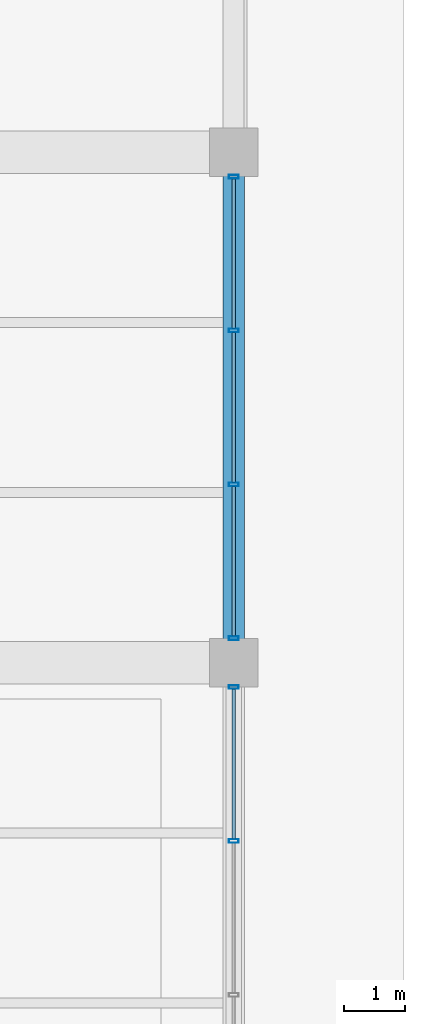
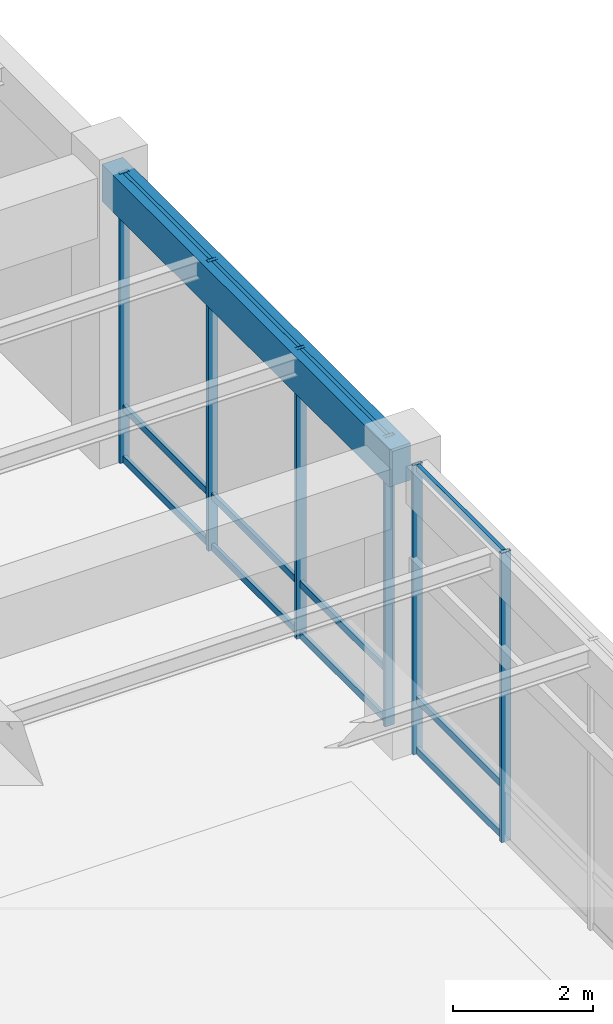
# One storey, part 105 of 157: 18 members, 1 beam, 2 elements without a shape of their own.
"""IFC4 building model written with IfcOpenShell, lengths in metres."""

from ifc_helpers import new_model, si_unit, direction, frame, origin, origin_2d, place, context, subcontext, project, spatial, rectangle, hollow_rectangle, extrude, material, material_profile, profile_set, type_object, element, aggregate, save


model = new_model("IFC4")

# Units and contexts
model_context = context("Model", 3, precision=1e-05, world=origin(), true_north=direction((0.0, 1.0)))
body_context = subcontext(model_context, "Body", "Model", "MODEL_VIEW")
ifc_project = project(units=[si_unit("LENGTHUNIT", "METRE"), si_unit("AREAUNIT", "SQUARE_METRE"), si_unit("VOLUMEUNIT", "CUBIC_METRE"), si_unit("PLANEANGLEUNIT", "RADIAN"), si_unit("MASSUNIT", "GRAM", prefix="KILO"), si_unit("THERMODYNAMICTEMPERATUREUNIT", "KELVIN"), si_unit("POWERUNIT", "WATT")], contexts=[model_context])

# Site, building, storey
site_placement = place(None, origin())
site = spatial("IfcSite", under=ifc_project, at=site_placement, CompositionType="ELEMENT")
building_placement = place(site_placement, origin())
building = spatial("IfcBuilding", under=site, at=building_placement, Name="Darbajah Civic Hall", CompositionType="ELEMENT")
storey_placement = place(building_placement, origin())
storey = spatial("IfcBuildingStorey", under=building, at=storey_placement, Name="L00", CompositionType="ELEMENT", Elevation=0.0)

# Curtain wall, members
ifc_material_1 = material(Name="Anodised Bronze Aluminium and Low-E Glazing", Category="aluminium")
curtain_wall_type = type_object("IfcCurtainWallType", Name="Unitised Curtain Wall CW-95 7600x5050", PredefinedType="USERDEFINED", material=ifc_material_1)
curtain_wall_1_placement = place(storey_placement, origin())
curtain_wall_1 = element("IfcCurtainWall", 1, at=curtain_wall_1_placement, inside=storey, type_object=curtain_wall_type, Name="L00 unitised curtain wall CW-V4-L00-S1-B2", ObjectType="UNITISED CURTAIN WALL", PredefinedType="USERDEFINED")
ifc_material_2 = material(Name="Anodised Bronze Aluminium", Category="aluminium")
ifc_material_profile_1 = material_profile(ifc_material_2, hollow_rectangle(XDim=0.06005859375, YDim=0.159912109375, WallThickness=0.00341796875, at=origin_2d()), Name="ALU MULLION 60x160")
ifc_profile_set_1 = profile_set([ifc_material_profile_1], Name="Anodised Bronze Aluminium")
member_type_1 = type_object("IfcMemberType", Name="ALU MULLION 60x160", PredefinedType="MULLION", material=ifc_profile_set_1)
member_1_placement = place(storey_placement, frame((178.199951171875, 78.666015625, 0.0), z_axis=(0.0, 0.0, 1.0), x_axis=(0.0, 1.0, 0.0)))
member_1 = element("IfcMember", 2, at=member_1_placement, type_object=member_type_1, Name="CW-V4-L00-S1-B2 mullion 3", PredefinedType="MULLION", context=body_context, shape_type="SweptSolid", body=[
    extrude(hollow_rectangle(XDim=0.06005859375, YDim=0.159912109375, WallThickness=0.00341796875, at=origin_2d()), origin(), (0.0, 0.0, 1.0), 5.06005859375),
])
member_2_placement = place(storey_placement, frame((178.199951171875, 81.197998046875, 0.0), z_axis=(0.0, 0.0, 1.0), x_axis=(0.0, 1.0, 0.0)))
member_2 = element("IfcMember", 3, at=member_2_placement, type_object=member_type_1, Name="CW-V4-L00-S1-B2 mullion 4", PredefinedType="MULLION", context=body_context, shape_type="SweptSolid", body=[
    extrude(hollow_rectangle(XDim=0.06005859375, YDim=0.159912109375, WallThickness=0.00341796875, at=origin_2d()), origin(), (0.0, 0.0, 1.0), 5.06005859375),
])

curtain_wall_2_placement = place(storey_placement, origin())
curtain_wall_2 = element("IfcCurtainWall", 4, at=curtain_wall_2_placement, inside=storey, type_object=curtain_wall_type, Name="L00 unitised curtain wall CW-V4-L00-S1-B3", ObjectType="UNITISED CURTAIN WALL", PredefinedType="USERDEFINED")
member_3_placement = place(storey_placement, frame((178.199951171875, 82.001953125, 0.0), z_axis=(0.0, 0.0, 1.0), x_axis=(0.0, 1.0, 0.0)))
member_3 = element("IfcMember", 5, at=member_3_placement, type_object=member_type_1, Name="CW-V4-L00-S1-B3 mullion 1", PredefinedType="MULLION", context=body_context, shape_type="SweptSolid", body=[
    extrude(hollow_rectangle(XDim=0.06005859375, YDim=0.159912109375, WallThickness=0.00341796875, at=origin_2d()), origin(), (0.0, 0.0, 1.0), 5.06005859375),
])
member_4_placement = place(storey_placement, frame((178.199951171875, 84.533935546875, 0.0), z_axis=(0.0, 0.0, 1.0), x_axis=(0.0, 1.0, 0.0)))
member_4 = element("IfcMember", 6, at=member_4_placement, type_object=member_type_1, Name="CW-V4-L00-S1-B3 mullion 2", PredefinedType="MULLION", context=body_context, shape_type="SweptSolid", body=[
    extrude(hollow_rectangle(XDim=0.06005859375, YDim=0.159912109375, WallThickness=0.00341796875, at=origin_2d()), origin(), (0.0, 0.0, 1.0), 5.06005859375),
])
member_5_placement = place(storey_placement, frame((178.199951171875, 87.06591796875, 0.0), z_axis=(0.0, 0.0, 1.0), x_axis=(0.0, 1.0, 0.0)))
member_5 = element("IfcMember", 7, at=member_5_placement, type_object=member_type_1, Name="CW-V4-L00-S1-B3 mullion 3", PredefinedType="MULLION", context=body_context, shape_type="SweptSolid", body=[
    extrude(hollow_rectangle(XDim=0.06005859375, YDim=0.159912109375, WallThickness=0.00341796875, at=origin_2d()), origin(), (0.0, 0.0, 1.0), 5.06005859375),
])
member_6_placement = place(storey_placement, frame((178.199951171875, 89.597900390625, 0.0), z_axis=(0.0, 0.0, 1.0), x_axis=(0.0, 1.0, 0.0)))
member_6 = element("IfcMember", 8, at=member_6_placement, type_object=member_type_1, Name="CW-V4-L00-S1-B3 mullion 4", PredefinedType="MULLION", context=body_context, shape_type="SweptSolid", body=[
    extrude(hollow_rectangle(XDim=0.06005859375, YDim=0.159912109375, WallThickness=0.00341796875, at=origin_2d()), origin(), (0.0, 0.0, 1.0), 5.06005859375),
])

# Member
ifc_material_profile_2 = material_profile(ifc_material_2, hollow_rectangle(XDim=0.06005859375, YDim=0.1201171875, WallThickness=0.003173828125, at=origin_2d()), Name="ALU TRANSOM 60x120")
ifc_profile_set_2 = profile_set([ifc_material_profile_2], Name="Anodised Bronze Aluminium")
member_type_2 = type_object("IfcMemberType", Name="ALU TRANSOM 60x120", PredefinedType="USERDEFINED", material=ifc_profile_set_2)
member_7_placement = place(storey_placement, frame((178.199951171875, 78.700927734375, 0.06005859375), z_axis=(0.0, 1.0, 0.0), x_axis=(-1.0, 0.0, 0.0)))
member_7 = element("IfcMember", 9, at=member_7_placement, type_object=member_type_2, Name="CW-V4-L00-S1-B2 transom 3.1", ObjectType="TRANSOM", PredefinedType="USERDEFINED", context=body_context, shape_type="SweptSolid", body=[
    extrude(hollow_rectangle(XDim=0.06005859375, YDim=0.1201171875, WallThickness=0.003173828125, at=origin_2d()), origin(), (0.0, 0.0, 1.0), 2.462158203125),
])

member_8_placement = place(storey_placement, frame((178.199951171875, 78.700927734375, 0.949951171875), z_axis=(0.0, 1.0, 0.0), x_axis=(-1.0, 0.0, 0.0)))
member_8 = element("IfcMember", 10, at=member_8_placement, type_object=member_type_2, Name="CW-V4-L00-S1-B2 transom 3.2", ObjectType="TRANSOM", PredefinedType="USERDEFINED", context=body_context, shape_type="SweptSolid", body=[
    extrude(hollow_rectangle(XDim=0.06005859375, YDim=0.1201171875, WallThickness=0.003173828125, at=origin_2d()), origin(), (0.0, 0.0, 1.0), 2.462158203125),
])

member_9_placement = place(storey_placement, frame((178.199951171875, 78.700927734375, 5.0), z_axis=(0.0, 1.0, 0.0), x_axis=(-1.0, 0.0, 0.0)))
member_9 = element("IfcMember", 11, at=member_9_placement, type_object=member_type_2, Name="CW-V4-L00-S1-B2 transom 3.3", ObjectType="TRANSOM", PredefinedType="USERDEFINED", context=body_context, shape_type="SweptSolid", body=[
    extrude(hollow_rectangle(XDim=0.06005859375, YDim=0.1201171875, WallThickness=0.003173828125, at=origin_2d()), origin(), (0.0, 0.0, 1.0), 2.462158203125),
])

aggregate(curtain_wall_1, [member_1, member_2, member_7, member_8, member_9])

member_10_placement = place(storey_placement, frame((178.199951171875, 82.037109375, 0.06005859375), z_axis=(0.0, 1.0, 0.0), x_axis=(-1.0, 0.0, 0.0)))
member_10 = element("IfcMember", 12, at=member_10_placement, type_object=member_type_2, Name="CW-V4-L00-S1-B3 transom 1.1", ObjectType="TRANSOM", PredefinedType="USERDEFINED", context=body_context, shape_type="SweptSolid", body=[
    extrude(hollow_rectangle(XDim=0.06005859375, YDim=0.1201171875, WallThickness=0.003173828125, at=origin_2d()), origin(), (0.0, 0.0, 1.0), 2.4619140625),
])

member_11_placement = place(storey_placement, frame((178.199951171875, 82.037109375, 0.949951171875), z_axis=(0.0, 1.0, 0.0), x_axis=(-1.0, 0.0, 0.0)))
member_11 = element("IfcMember", 13, at=member_11_placement, type_object=member_type_2, Name="CW-V4-L00-S1-B3 transom 1.2", ObjectType="TRANSOM", PredefinedType="USERDEFINED", context=body_context, shape_type="SweptSolid", body=[
    extrude(hollow_rectangle(XDim=0.06005859375, YDim=0.1201171875, WallThickness=0.003173828125, at=origin_2d()), origin(), (0.0, 0.0, 1.0), 2.4619140625),
])

member_12_placement = place(storey_placement, frame((178.199951171875, 82.037109375, 5.0), z_axis=(0.0, 1.0, 0.0), x_axis=(-1.0, 0.0, 0.0)))
member_12 = element("IfcMember", 14, at=member_12_placement, type_object=member_type_2, Name="CW-V4-L00-S1-B3 transom 1.3", ObjectType="TRANSOM", PredefinedType="USERDEFINED", context=body_context, shape_type="SweptSolid", body=[
    extrude(hollow_rectangle(XDim=0.06005859375, YDim=0.1201171875, WallThickness=0.003173828125, at=origin_2d()), origin(), (0.0, 0.0, 1.0), 2.4619140625),
])

member_13_placement = place(storey_placement, frame((178.199951171875, 84.569091796875, 0.06005859375), z_axis=(0.0, 1.0, 0.0), x_axis=(-1.0, 0.0, 0.0)))
member_13 = element("IfcMember", 15, at=member_13_placement, type_object=member_type_2, Name="CW-V4-L00-S1-B3 transom 2.1", ObjectType="TRANSOM", PredefinedType="USERDEFINED", context=body_context, shape_type="SweptSolid", body=[
    extrude(hollow_rectangle(XDim=0.06005859375, YDim=0.1201171875, WallThickness=0.003173828125, at=origin_2d()), origin(), (0.0, 0.0, 1.0), 2.4619140625),
])

member_14_placement = place(storey_placement, frame((178.199951171875, 84.569091796875, 0.949951171875), z_axis=(0.0, 1.0, 0.0), x_axis=(-1.0, 0.0, 0.0)))
member_14 = element("IfcMember", 16, at=member_14_placement, type_object=member_type_2, Name="CW-V4-L00-S1-B3 transom 2.2", ObjectType="TRANSOM", PredefinedType="USERDEFINED", context=body_context, shape_type="SweptSolid", body=[
    extrude(hollow_rectangle(XDim=0.06005859375, YDim=0.1201171875, WallThickness=0.003173828125, at=origin_2d()), origin(), (0.0, 0.0, 1.0), 2.4619140625),
])

member_15_placement = place(storey_placement, frame((178.199951171875, 84.569091796875, 5.0), z_axis=(0.0, 1.0, 0.0), x_axis=(-1.0, 0.0, 0.0)))
member_15 = element("IfcMember", 17, at=member_15_placement, type_object=member_type_2, Name="CW-V4-L00-S1-B3 transom 2.3", ObjectType="TRANSOM", PredefinedType="USERDEFINED", context=body_context, shape_type="SweptSolid", body=[
    extrude(hollow_rectangle(XDim=0.06005859375, YDim=0.1201171875, WallThickness=0.003173828125, at=origin_2d()), origin(), (0.0, 0.0, 1.0), 2.4619140625),
])

member_16_placement = place(storey_placement, frame((178.199951171875, 87.10107421875, 0.06005859375), z_axis=(0.0, 1.0, 0.0), x_axis=(-1.0, 0.0, 0.0)))
member_16 = element("IfcMember", 18, at=member_16_placement, type_object=member_type_2, Name="CW-V4-L00-S1-B3 transom 3.1", ObjectType="TRANSOM", PredefinedType="USERDEFINED", context=body_context, shape_type="SweptSolid", body=[
    extrude(hollow_rectangle(XDim=0.06005859375, YDim=0.1201171875, WallThickness=0.003173828125, at=origin_2d()), origin(), (0.0, 0.0, 1.0), 2.4619140625),
])

member_17_placement = place(storey_placement, frame((178.199951171875, 87.10107421875, 0.949951171875), z_axis=(0.0, 1.0, 0.0), x_axis=(-1.0, 0.0, 0.0)))
member_17 = element("IfcMember", 19, at=member_17_placement, type_object=member_type_2, Name="CW-V4-L00-S1-B3 transom 3.2", ObjectType="TRANSOM", PredefinedType="USERDEFINED", context=body_context, shape_type="SweptSolid", body=[
    extrude(hollow_rectangle(XDim=0.06005859375, YDim=0.1201171875, WallThickness=0.003173828125, at=origin_2d()), origin(), (0.0, 0.0, 1.0), 2.4619140625),
])

member_18_placement = place(storey_placement, frame((178.199951171875, 87.10107421875, 5.0), z_axis=(0.0, 1.0, 0.0), x_axis=(-1.0, 0.0, 0.0)))
member_18 = element("IfcMember", 20, at=member_18_placement, type_object=member_type_2, Name="CW-V4-L00-S1-B3 transom 3.3", ObjectType="TRANSOM", PredefinedType="USERDEFINED", context=body_context, shape_type="SweptSolid", body=[
    extrude(hollow_rectangle(XDim=0.06005859375, YDim=0.1201171875, WallThickness=0.003173828125, at=origin_2d()), origin(), (0.0, 0.0, 1.0), 2.4619140625),
])

aggregate(curtain_wall_2, [member_3, member_4, member_5, member_6, member_10, member_11, member_12, member_13, member_14, member_15, member_16, member_17, member_18])

# Beam
ifc_material_3 = material(Name="Concrete C45/55", Category="concrete")
ifc_material_profile_3 = material_profile(ifc_material_3, rectangle(XDim=0.35009765625, YDim=0.64990234375, at=origin_2d()), Name="RC SPANDREL 350x650")
ifc_profile_set_3 = profile_set([ifc_material_profile_3], Name="Concrete C45/55")
beam_type = type_object("IfcBeamType", Name="RC SPANDREL 350x650", PredefinedType="SPANDREL", material=ifc_profile_set_3)
beam_placement = place(storey_placement, frame((178.199951171875, 81.679931640625, 4.735107421875), z_axis=(0.0, 1.0, 0.0), x_axis=(-1.0, 0.0, 0.0)))
element("IfcBeam", 21, at=beam_placement, inside=storey, type_object=beam_type, Name="L00 beam SP-3565", PredefinedType="SPANDREL", context=body_context, shape_type="SweptSolid", body=[
    extrude(rectangle(XDim=0.35009765625, YDim=0.64990234375, at=origin_2d()), origin(), (0.0, 0.0, 1.0), 8.239990234375),
])

save(model, "model.ifc")
